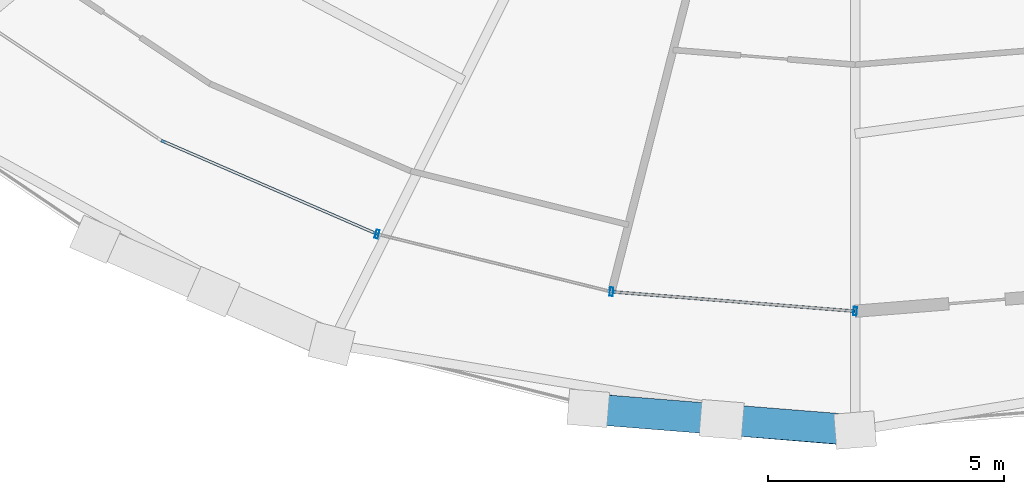
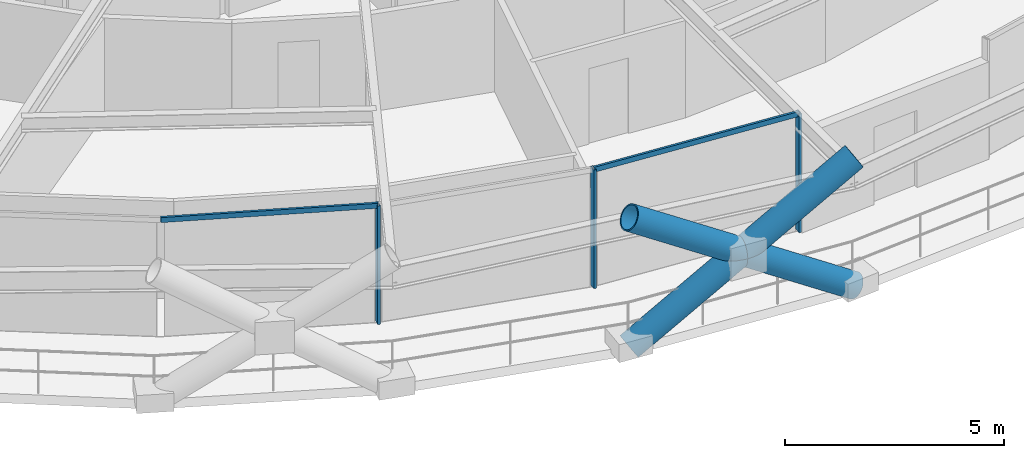
# One storey, part 4 of 19: 8 members, 1 element without a shape of its own.
"""IFC4 building model written with IfcOpenShell, lengths in metres."""

from ifc_helpers import new_model, si_unit, direction, frame, origin, origin_2d, place, context, subcontext, project, spatial, hollow_rectangle, hollow_circle, extrude, material, layer, layer_set, material_profile, profile_set, type_object, element, aggregate, save


model = new_model("IFC4")

# Units and contexts
model_context = context("Model", 3, precision=1e-05, world=origin(), true_north=direction((0.0, 1.0)))
body_context = subcontext(model_context, "Body", "Model", "MODEL_VIEW")
ifc_project = project(units=[si_unit("LENGTHUNIT", "METRE"), si_unit("AREAUNIT", "SQUARE_METRE"), si_unit("VOLUMEUNIT", "CUBIC_METRE"), si_unit("PLANEANGLEUNIT", "RADIAN"), si_unit("MASSUNIT", "GRAM", prefix="KILO")], contexts=[model_context])

# Site, building, storey
site_placement = place(None, origin())
site = spatial("IfcSite", under=ifc_project, at=site_placement, CompositionType="ELEMENT")
building_placement = place(site_placement, origin())
building = spatial("IfcBuilding", under=site, at=building_placement, Name="Veldorina Hangang Commons", CompositionType="ELEMENT")
storey_placement = place(building_placement, frame((0.0, 0.0, 77.199951171875)))
storey = spatial("IfcBuildingStorey", under=building, at=storey_placement, Name="L19", CompositionType="ELEMENT", Elevation=77.199951171875)

# Curtain wall, members
ifc_material_1 = material(Name="Glass Low-E Triple IGU", Category="glass")
ifc_layer = layer(ifc_material_1, 0.179931640625)
ifc_layer_set = layer_set([ifc_layer], Name="Glass Low-E Triple IGU")
curtain_wall_type = type_object("IfcCurtainWallType", Name="CW-SYS-Z1", PredefinedType="NOTDEFINED", material=ifc_layer_set)
curtain_wall_placement = place(storey_placement, origin())
curtain_wall = element("IfcCurtainWall", 1, at=curtain_wall_placement, inside=storey, type_object=curtain_wall_type, Name="L19 unitised curtain wall CW-L19-R1", PredefinedType="NOTDEFINED")
ifc_material_2 = material(Name="Aluminium Anodized AA6063-T6", Category="aluminium")
ifc_material_profile_1 = material_profile(ifc_material_2, hollow_rectangle(XDim=0.070068359375, YDim=0.179931640625, WallThickness=0.00390625, at=origin_2d()), Name="ALU-RHS-180x70x4")
ifc_profile_set_1 = profile_set([ifc_material_profile_1], Name="Aluminium Anodized AA6063-T6")
member_type_1 = type_object("IfcMemberType", Name="CW-MUL-180", PredefinedType="MULLION", material=ifc_profile_set_1)
member_1_placement = place(storey_placement, frame((21.8701171875, 4.163818359375, 0.0), z_axis=(0.0, 0.0, 1.0), x_axis=(0.9710384482, -0.238923276634, 0.0)))
member_1 = element("IfcMember", 2, at=member_1_placement, type_object=member_type_1, Name="CW-L19-R1 vertical mullion 2", PredefinedType="MULLION", context=body_context, shape_type="SweptSolid", body=[
    extrude(hollow_rectangle(XDim=0.070068359375, YDim=0.179931640625, WallThickness=0.00390625, at=origin_2d()), origin(), (0.0, 0.0, 1.0), 3.300048828125),
])
member_2_placement = place(storey_placement, frame((26.835693359375, 2.94189453125, 0.0), z_axis=(0.0, 0.0, 1.0), x_axis=(0.996823514521, -0.079642205503, 0.0)))
member_2 = element("IfcMember", 3, at=member_2_placement, type_object=member_type_1, Name="CW-L19-R1 vertical mullion 3", PredefinedType="MULLION", context=body_context, shape_type="SweptSolid", body=[
    extrude(hollow_rectangle(XDim=0.070068359375, YDim=0.179931640625, WallThickness=0.00390625, at=origin_2d()), origin(), (0.0, 0.0, 1.0), 3.300048828125),
])
member_3_placement = place(storey_placement, frame((32.0, 2.529296875, 0.0), z_axis=(0.0, 0.0, 1.0), x_axis=(-0.996823514521, 0.079642205503, 0.0)))
member_3 = element("IfcMember", 4, at=member_3_placement, type_object=member_type_1, Name="CW-L19-R1 vertical mullion 4", PredefinedType="MULLION", context=body_context, shape_type="SweptSolid", body=[
    extrude(hollow_rectangle(XDim=0.070068359375, YDim=0.179931640625, WallThickness=0.00390625, at=origin_2d()), origin(), (0.0, 0.0, 1.0), 3.300048828125),
])
ifc_material_profile_2 = material_profile(ifc_material_2, hollow_rectangle(XDim=0.06005859375, YDim=0.139892578125, WallThickness=0.00341796875, at=origin_2d()), Name="ALU-RHS-140x60x3.5")
ifc_profile_set_2 = profile_set([ifc_material_profile_2], Name="Aluminium Anodized AA6063-T6")
member_type_2 = type_object("IfcMemberType", Name="CW-TRN-140", PredefinedType="USERDEFINED", material=ifc_profile_set_2)
member_4_placement = place(storey_placement, frame((17.293701171875, 6.147705078125, 3.260009765625), z_axis=(0.917499069048, -0.397737926651, 0.0), x_axis=(0.397737926651, 0.917499069048, 0.0)))
member_4 = element("IfcMember", 5, at=member_4_placement, type_object=member_type_2, Name="CW-L19-R1 facet 2 transom 1", ObjectType="TRANSOM", PredefinedType="USERDEFINED", context=body_context, shape_type="SweptSolid", body=[
    extrude(hollow_rectangle(XDim=0.06005859375, YDim=0.139892578125, WallThickness=0.00341796875, at=origin_2d()), origin(), (0.0, 0.0, 1.0), 4.988037109375),
])
member_5_placement = place(storey_placement, frame((26.835693359375, 2.94189453125, 3.260009765625), z_axis=(0.996823664018, -0.079640334335, 0.0), x_axis=(0.079640334335, 0.996823664018, 0.0)))
member_5 = element("IfcMember", 6, at=member_5_placement, type_object=member_type_2, Name="CW-L19-R1 facet 4 transom 1", ObjectType="TRANSOM", PredefinedType="USERDEFINED", context=body_context, shape_type="SweptSolid", body=[
    extrude(hollow_rectangle(XDim=0.06005859375, YDim=0.139892578125, WallThickness=0.00341796875, at=origin_2d()), origin(), (0.0, 0.0, 1.0), 5.1806640625),
])
aggregate(curtain_wall, [member_1, member_2, member_3, member_4, member_5])

# Members
ifc_material_3 = material(Name="Steel SM460-TMC", Category="steel")
ifc_material_profile_3 = material_profile(ifc_material_3, hollow_circle(Radius=0.324951171875, WallThickness=0.031982421875, at=origin_2d()), Name="CHS-650x32")
ifc_profile_set_3 = profile_set([ifc_material_profile_3], Name="Steel SM460-TMC")
member_type_3 = type_object("IfcMemberType", Name="DG-CHS650", PredefinedType="BRACE", material=ifc_profile_set_3)
member_6_placement = place(storey_placement, frame((26.34423828125, 0.470458984375, 0.0), z_axis=(0.841526156152, -0.070000038975, 0.535661948486), x_axis=(0.082895953801, 0.996558207454, 0.0)))
element("IfcMember", 7, at=member_6_placement, inside=storey, type_object=member_type_3, Name="L19 continuous perimeter diagrid brace 23", PredefinedType="BRACE", context=body_context, shape_type="SweptSolid", body=[
    extrude(hollow_circle(Radius=0.324951171875, WallThickness=0.031982421875, at=origin_2d()), origin(), (0.0, 0.0, 1.0), 6.720947265625),
])
member_7_placement = place(storey_placement, frame((32.0, 0.009521484375, 0.0), z_axis=(-0.841766914433, 0.067137904958, 0.535650038256), x_axis=(-0.079505825365, -0.996834401359, 0.0)))
element("IfcMember", 8, at=member_7_placement, inside=storey, type_object=member_type_3, Name="L19 split perimeter diagrid lower brace 24", PredefinedType="BRACE", context=body_context, shape_type="SweptSolid", body=[
    extrude(hollow_circle(Radius=0.324951171875, WallThickness=0.031982421875, at=origin_2d()), origin(), (0.0, 0.0, 1.0), 3.360107421875),
])
member_8_placement = place(storey_placement, frame((29.171630859375, 0.235107421875, 1.7998046875), z_axis=(-0.841777868329, 0.067260877217, 0.535617395897), x_axis=(-0.079649498221, -0.996822931836, 0.0)))
element("IfcMember", 9, at=member_8_placement, inside=storey, type_object=member_type_3, Name="L19 split perimeter diagrid upper brace 24", PredefinedType="BRACE", context=body_context, shape_type="SweptSolid", body=[
    extrude(hollow_circle(Radius=0.324951171875, WallThickness=0.031982421875, at=origin_2d()), origin(), (0.0, 0.0, 1.0), 3.361083984375),
])

save(model, "model.ifc")
